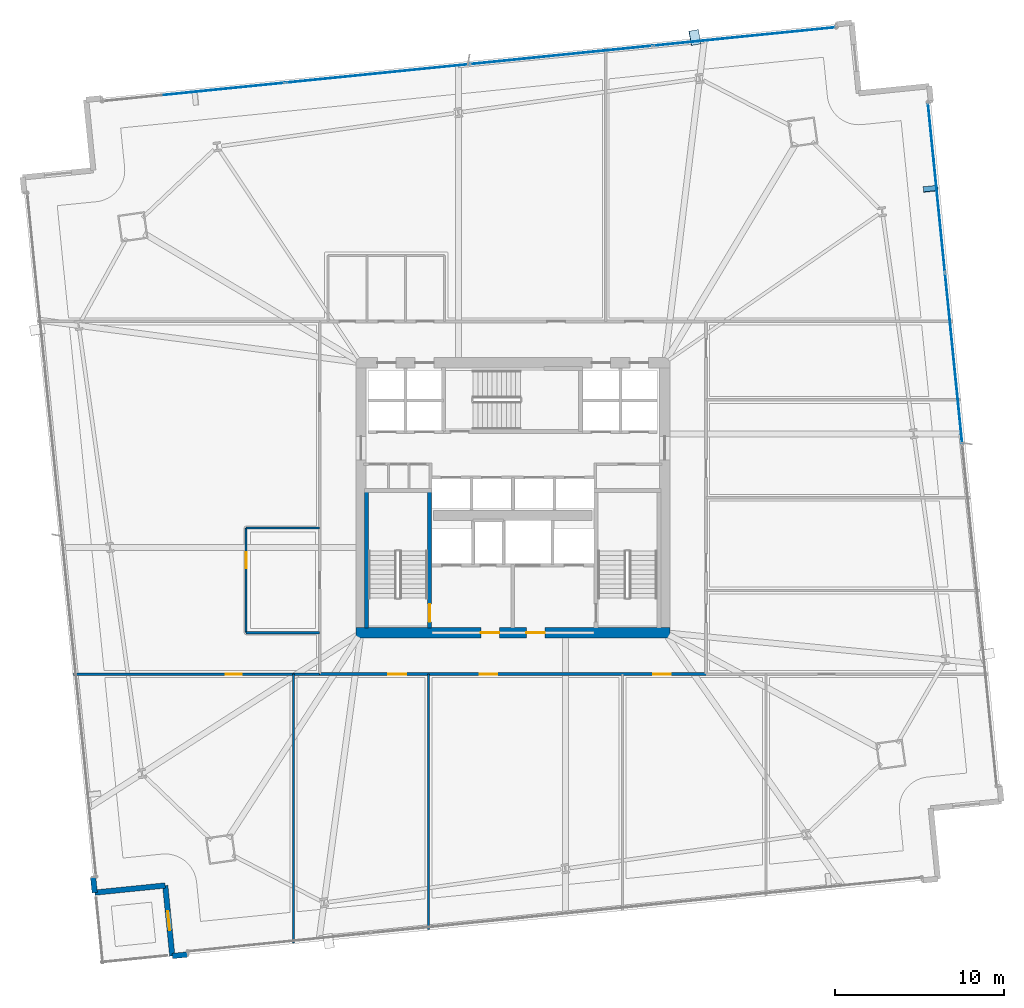
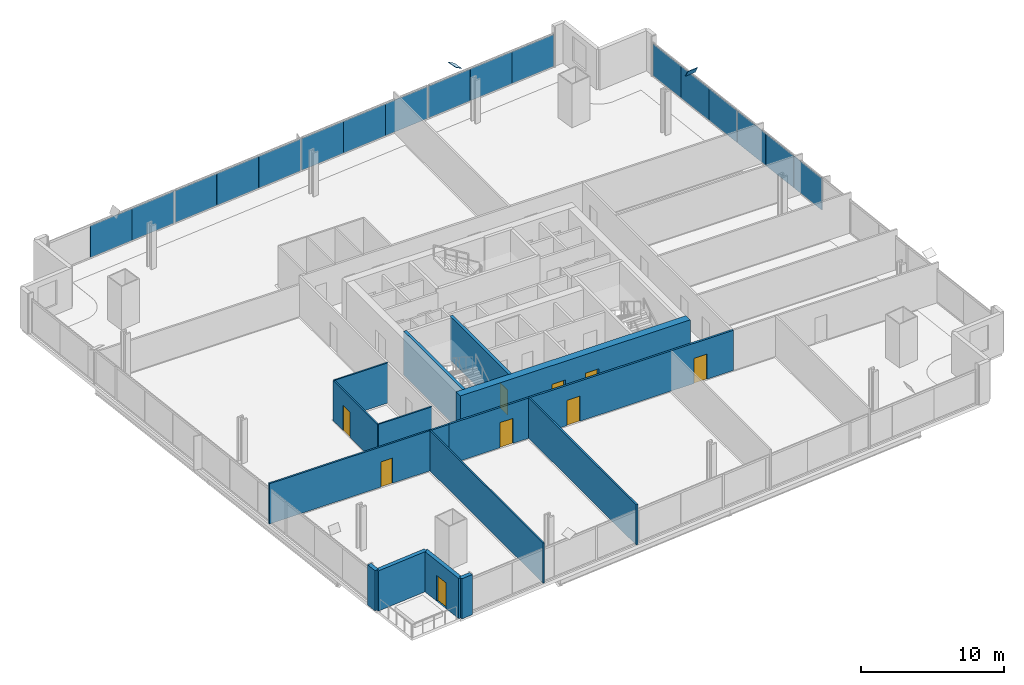
# One storey, part 25 of 33: 19 plates, 14 walls, 9 doors, 9 openings, 2 elements without a shape of their own.
"""IFC4 building model written with IfcOpenShell, lengths in metres."""

import ifcopenshell
import ifcopenshell.guid

model = None  # the IFC model being written
_history = None  # IfcOwnerHistory: only IFC2X3 demands one
_inside = {}  # id of a spatial element -> (the spatial element, [elements in it])
_under = {}  # id of a project, library or spatial element -> (it, [spatial elements below it])
_declared = {}  # id of a project -> (the project, [libraries it declares])
_typed = {}  # id of a type object -> (the type object, [elements of that type])
_made_of = {}  # id of a material, layer set ... -> (it, [elements and type objects made of it])


def new_model(schema):
    """Start an empty IFC model of exactly this schema.

    Asked for "IFC4X3", IfcOpenShell would pick the latest addendum, in which some entities
    have other attributes; the version numbers below select the first issue.
    IFC2X3 requires an IfcOwnerHistory on every rooted entity: one is made here for all.
    """
    global model, _history
    if schema == "IFC4X3":
        model = ifcopenshell.file(schema_version=(4, 3, 0, 0))
    else:
        model = ifcopenshell.file(schema=schema)
    _inside.clear()
    _under.clear()
    _declared.clear()
    _typed.clear()
    _made_of.clear()
    _history = None
    if model.schema == "IFC2X3":
        org = make("IfcOrganization", Name="unknown")
        user = make(
            "IfcPersonAndOrganization",
            ThePerson=make("IfcPerson", FamilyName="unknown"),
            TheOrganization=org,
        )
        app = make(
            "IfcApplication",
            ApplicationDeveloper=org,
            Version="unknown",
            ApplicationFullName="unknown",
            ApplicationIdentifier="unknown",
        )
        _history = make(
            "IfcOwnerHistory",
            OwningUser=user,
            OwningApplication=app,
            ChangeAction="ADDED",
            CreationDate=0,
        )
    return model


def make(cls, **values):
    """One entity of the class cls with the attributes given. An attribute that is None is left unset."""
    return model.create_entity(
        cls, **{name: value for name, value in values.items() if value is not None}
    )


def rooted(cls, **values):
    """An entity with a GlobalId (a new one), such as an element, a storey or a relation."""
    return make(cls, GlobalId=ifcopenshell.guid.new(), OwnerHistory=_history, **values)


def si_unit(unit_type, name, prefix=None):
    """IfcSIUnit, for example si_unit("LENGTHUNIT", "METRE", prefix="MILLI")."""
    return make("IfcSIUnit", UnitType=unit_type, Prefix=prefix, Name=name)


def assignment(units):
    """IfcUnitAssignment: the units of a project."""
    return None if units is None else make("IfcUnitAssignment", Units=units)


def point(xyz):
    """IfcCartesianPoint."""
    return None if xyz is None else make("IfcCartesianPoint", Coordinates=xyz)


def direction(xyz):
    """IfcDirection."""
    return None if xyz is None else make("IfcDirection", DirectionRatios=xyz)


def frame(location, z_axis=None, x_axis=None):
    """IfcAxis2Placement3D, a coordinate frame: its origin and axes. An axis left out is left unset."""
    return make(
        "IfcAxis2Placement3D",
        Location=point(location),
        Axis=direction(z_axis),
        RefDirection=direction(x_axis),
    )


def frame_2d(location, x_axis=None):
    """IfcAxis2Placement2D, a coordinate frame in the plane: its origin and x axis."""
    return make(
        "IfcAxis2Placement2D", Location=point(location), RefDirection=direction(x_axis)
    )


def origin():
    """The frame at (0, 0, 0) with its axes left unset."""
    return frame((0.0, 0.0, 0.0))


def origin_2d():
    """The frame at (0, 0) in the plane with its x axis left unset."""
    return frame_2d((0.0, 0.0))


def place(relative_to, where):
    """IfcLocalPlacement: puts the frame where relative to a parent placement (None: the world)."""
    return make(
        "IfcLocalPlacement", PlacementRelTo=relative_to, RelativePlacement=where
    )


def context(
    kind, dimensions, precision=None, world=None, true_north=None, identifier=None
):
    """IfcGeometricRepresentationContext, for example the 3D "Model" context."""
    return make(
        "IfcGeometricRepresentationContext",
        ContextIdentifier=identifier,
        ContextType=kind,
        CoordinateSpaceDimension=dimensions,
        Precision=precision,
        WorldCoordinateSystem=world,
        TrueNorth=true_north,
    )


def subcontext(parent, identifier, kind, view, scale=None):
    """IfcGeometricRepresentationSubContext, for example "Body" below "Model"."""
    return make(
        "IfcGeometricRepresentationSubContext",
        ContextIdentifier=identifier,
        ContextType=kind,
        ParentContext=parent,
        TargetScale=scale,
        TargetView=view,
    )


def project(units=None, contexts=None):
    """IfcProject with its units and contexts."""
    return rooted(
        "IfcProject",
        Name="project",
        RepresentationContexts=contexts,
        UnitsInContext=assignment(units),
    )


def spatial(cls, under=None, at=None, **own):
    """A site, building, storey or space (cls), placed at a placement, below another one or the project."""
    s = rooted(cls, ObjectPlacement=at, **own)
    if under is not None:
        _under.setdefault(under.id(), (under, []))[1].append(s)
    return s


def profile(cls, at=None, kind="AREA", **sizes):
    """A parametric profile (cls). Its sizes go by their IFC names, for example OverallWidth=200.0."""
    return make(cls, ProfileType=kind, Position=at, **sizes)


def rectangle(**sizes):
    """IfcRectangleProfileDef."""
    return profile("IfcRectangleProfileDef", **sizes)


def extrude(swept, where, along, depth):
    """IfcExtrudedAreaSolid: the profile swept, set in the frame where, extruded along a direction by depth."""
    return make(
        "IfcExtrudedAreaSolid",
        SweptArea=swept,
        Position=where,
        ExtrudedDirection=direction(along),
        Depth=depth,
    )


def shape(context_of_items, identifier, shape_type, items):
    """IfcShapeRepresentation: the items that make up one representation, for example the "Body"."""
    return make(
        "IfcShapeRepresentation",
        ContextOfItems=context_of_items,
        RepresentationIdentifier=identifier,
        RepresentationType=shape_type,
        Items=items,
    )


def source(mapping_origin, context_of_items, identifier, shape_type, items):
    """IfcRepresentationMap: a shape defined once, which mapped items show again and again."""
    return make(
        "IfcRepresentationMap",
        MappingOrigin=mapping_origin,
        MappedRepresentation=shape(context_of_items, identifier, shape_type, items),
    )


def transform(
    local_origin,
    x_axis=None,
    y_axis=None,
    z_axis=None,
    scale=None,
    scale2=None,
    scale3=None,
    uniform=True,
):
    """IfcCartesianTransformationOperator3D, or its non-uniform kind. x_axis, y_axis, z_axis: its Axis1, 2, 3."""
    if uniform:
        return make(
            "IfcCartesianTransformationOperator3D",
            Axis1=direction(x_axis),
            Axis2=direction(y_axis),
            LocalOrigin=point(local_origin),
            Scale=scale,
            Axis3=direction(z_axis),
        )
    return make(
        "IfcCartesianTransformationOperator3DnonUniform",
        Axis1=direction(x_axis),
        Axis2=direction(y_axis),
        LocalOrigin=point(local_origin),
        Scale=scale,
        Axis3=direction(z_axis),
        Scale2=scale2,
        Scale3=scale3,
    )


def mapped(mapping_source, mapping_target):
    """IfcMappedItem: shows the shape of a source again, moved by a transform."""
    return make(
        "IfcMappedItem", MappingSource=mapping_source, MappingTarget=mapping_target
    )


def material(Name=None, Category=None):
    """IfcMaterial."""
    return make("IfcMaterial", Name=Name, Category=Category)


def layer(
    of_material, thickness, ventilated=None, Name=None, Category=None, Priority=None
):
    """IfcMaterialLayer: one layer of a wall or slab, of a material (None: an air gap)."""
    return make(
        "IfcMaterialLayer",
        Material=of_material,
        LayerThickness=thickness,
        IsVentilated=ventilated,
        Name=Name,
        Category=Category,
        Priority=Priority,
    )


def layer_set(layers, Name=None):
    """IfcMaterialLayerSet."""
    return make("IfcMaterialLayerSet", MaterialLayers=layers, LayerSetName=Name)


def made_of(thing, what):
    """Note that an element or type object is made of a material, layer set ...; save() writes the relation."""
    if what is not None:
        _made_of.setdefault(what.id(), (what, []))[1].append(thing)
    return thing


def type_object(cls, material=None, **own):
    """A type object (cls), such as IfcWallType, which elements share."""
    return made_of(rooted(cls, **own), material)


def element(
    cls,
    number,
    at=None,
    inside=None,
    cuts=None,
    type_object=None,
    material=None,
    context=None,
    identifier="Body",
    shape_type=None,
    held_by="IfcProductDefinitionShape",
    body=None,
    shapes=None,
    **own,
):
    """One element of the class cls, such as IfcWall. Its Tag is "e" and its number.

    at: its placement. inside: the storey or other place that contains it. cuts: it is an
    opening in that element (IfcRelVoidsElement). A single representation is given by context,
    identifier, shape_type and body (its items); several are given by shapes. held_by: the class
    of the entity that holds the representations. save() writes the other relations.
    """
    e = rooted(cls, Tag="e%d" % number, ObjectPlacement=at, **own)
    if body is not None:
        shapes = [shape(context, identifier, shape_type, body)]
    if shapes is not None:
        e.Representation = make(held_by, Representations=shapes)
    if inside is not None:
        _inside.setdefault(inside.id(), (inside, []))[1].append(e)
    if cuts is not None:
        rooted(
            "IfcRelVoidsElement", RelatingBuildingElement=cuts, RelatedOpeningElement=e
        )
    if type_object is not None:
        _typed.setdefault(type_object.id(), (type_object, []))[1].append(e)
    return made_of(e, material)


def fill(opening, filler):
    """IfcRelFillsElement: the door or window that sits in an opening."""
    return rooted(
        "IfcRelFillsElement",
        RelatingOpeningElement=opening,
        RelatedBuildingElement=filler,
    )


def aggregate(whole, parts):
    """IfcRelAggregates: a whole, such as a stair, and the parts it consists of."""
    return rooted("IfcRelAggregates", RelatingObject=whole, RelatedObjects=parts)


def save(model, path):
    """Write the relations noted so far, then the file.

    IfcRelAggregates (storeys below a building ...), IfcRelContainedInSpatialStructure (elements
    in a storey), IfcRelDefinesByType, IfcRelAssociatesMaterial and IfcRelDeclares: one each for
    every whole, place, type object, material and project.
    """
    for whole, parts in _under.values():
        aggregate(whole, parts)
    for where, things in _inside.values():
        rooted(
            "IfcRelContainedInSpatialStructure",
            RelatedElements=things,
            RelatingStructure=where,
        )
    for kind, things in _typed.values():
        rooted("IfcRelDefinesByType", RelatedObjects=things, RelatingType=kind)
    for what, things in _made_of.values():
        rooted("IfcRelAssociatesMaterial", RelatedObjects=things, RelatingMaterial=what)
    for by, libraries in _declared.values():
        rooted("IfcRelDeclares", RelatingContext=by, RelatedDefinitions=libraries)
    model.write(path)


model = new_model("IFC4")

# Units and contexts
model_context = context("Model", 3, precision=1e-05, world=origin(), true_north=direction((0.0, 1.0)))
body_context = subcontext(model_context, "Body", "Model", "MODEL_VIEW")
ifc_project = project(units=[si_unit("LENGTHUNIT", "METRE"), si_unit("AREAUNIT", "SQUARE_METRE"), si_unit("VOLUMEUNIT", "CUBIC_METRE"), si_unit("PLANEANGLEUNIT", "RADIAN"), si_unit("MASSUNIT", "GRAM", prefix="KILO")], contexts=[model_context])

# Site, building, storey
site_placement = place(None, origin())
site = spatial("IfcSite", under=ifc_project, at=site_placement, CompositionType="ELEMENT")
building_placement = place(site_placement, origin())
building = spatial("IfcBuilding", under=site, at=building_placement, Name="Haldenkirk Collegiate Tower", CompositionType="ELEMENT")
storey_placement = place(building_placement, frame((0.0, 0.0, 47.699951171875)))
storey = spatial("IfcBuildingStorey", under=building, at=storey_placement, Name="L10", CompositionType="ELEMENT", Elevation=47.699951171875)

# Plates
ifc_material_1 = material(Name="Steel ASTM A572 Grade 50", Category="steel")
ifc_layer_1 = layer(ifc_material_1, 0.034912109375)
ifc_layer_set_1 = layer_set([ifc_layer_1], Name="Steel ASTM A572 Grade 50")
plate_type_1 = type_object("IfcPlateType", Name="PLT-CAP-EXT-760X600", PredefinedType="USERDEFINED", material=ifc_layer_set_1)
shared_shape_1 = source(origin(), body_context, "Body", "SweptSolid", [
    extrude(rectangle(XDim=0.860107421875, YDim=0.659912109375, at=origin_2d()), origin(), (0.0, 0.0, 1.0), 0.034912109375),
])
for number, where, z_axis, x_axis, name in (
    (1, (60.761962890625, 44.2919921875, 3.4287109375), (-0.092943985843, 0.880315865916, 0.465193929144), (-0.99447258862, -0.10499652605, -2.9762e-07), "Perimeter Mega Brace Z1 L08-L10 ER end cap plate 2"),
    (2, (46.775146484375, 53.271728515625, 3.427490234375), (0.512676729759, 0.091290951879, 0.853714549992), (-0.17530922518, 0.984513420714, -2.42532e-07), "Perimeter Mega Brace Z1 L08-L10 NL end cap plate 2"),
):
    element("IfcPlate", number, at=place(storey_placement, frame(where, z_axis=z_axis, x_axis=x_axis)), inside=storey, type_object=plate_type_1, Name=name, ObjectType="END CAP PLATE", PredefinedType="USERDEFINED", context=body_context, shape_type="MappedRepresentation", body=[
        mapped(shared_shape_1, transform((0.0, 0.0, 0.0), x_axis=(1.0, 0.0, 0.0), y_axis=(0.0, 1.0, 0.0), z_axis=(0.0, 0.0, 1.0), scale=1.0)),
    ])

# Curtain wall, plates
ifc_material_2 = material(Name="Anodised architectural bronze aluminium", Category="aluminium")
curtain_wall_type = type_object("IfcCurtainWallType", Name="CW-SYS1-CONVEX-LOW", PredefinedType="USERDEFINED", material=ifc_material_2)
curtain_wall_1_placement = place(storey_placement, origin())
curtain_wall_1 = element("IfcCurtainWall", 3, at=curtain_wall_1_placement, inside=storey, type_object=curtain_wall_type, Name="L10 Lower tower convex bronze-framed unitised curtain wall", ObjectType="UNITISED CURTAIN WALL", PredefinedType="USERDEFINED")
ifc_material_3 = material(Name="Bronze-anodised insulated aluminium spandrel panel", Category="aluminium")
ifc_layer_2 = layer(ifc_material_3, 0.0439453125)
ifc_layer_set_2 = layer_set([ifc_layer_2], Name="Bronze-anodised insulated aluminium spandrel panel")
plate_type_2 = type_object("IfcPlateType", Name="CW-SPD-1A", PredefinedType="CURTAIN_PANEL", material=ifc_layer_set_2)
shared_shape_2 = source(origin(), body_context, "Body", "SweptSolid", [
    extrude(rectangle(XDim=3.36083984375, YDim=0.0439453125, at=origin_2d()), origin(), (0.0, 0.0, 1.0), 2.73095703125),
])
plate_1_placement = place(storey_placement, frame((61.785400390625, 37.62158203125, 0.080078125), z_axis=(0.0, 0.0, 1.0), x_axis=(0.10018633043, -0.99496869257, 0.0)))
plate_1 = element("IfcPlate", 4, at=plate_1_placement, type_object=plate_type_2, Name="CW-1A spandrel panel 2.1a", PredefinedType="CURTAIN_PANEL", context=body_context, shape_type="MappedRepresentation", body=[
    mapped(shared_shape_2, transform((0.0, 0.0, 0.0), x_axis=(1.0, 0.0, 0.0), y_axis=(0.0, 1.0, 0.0), z_axis=(0.0, 0.0, 1.0), scale=1.0)),
])
ifc_material_4 = material(Name="Low-E argon triple insulating glass", Category="glass")
ifc_layer_3 = layer(ifc_material_4, 0.0439453125)
ifc_layer_set_3 = layer_set([ifc_layer_3], Name="Low-E argon triple insulating glass")
plate_type_3 = type_object("IfcPlateType", Name="CW-PNL-1A", PredefinedType="CURTAIN_PANEL", material=ifc_layer_set_3)
plate_2_placement = place(storey_placement, frame((62.462646484375, 30.896240234375, 0.080078125), z_axis=(0.0, 0.0, 1.0), x_axis=(0.10018633043, -0.99496869257, 0.0)))
plate_2 = element("IfcPlate", 5, at=plate_2_placement, type_object=plate_type_3, Name="CW-1A panel 2.1c", PredefinedType="CURTAIN_PANEL", context=body_context, shape_type="MappedRepresentation", body=[
    mapped(shared_shape_2, transform((0.0, 0.0, 0.0), x_axis=(1.0, 0.0, 0.0), y_axis=(0.0, 1.0, 0.0), z_axis=(0.0, 0.0, 1.0), scale=1.0)),
])
shared_shape_3 = source(origin(), body_context, "Body", "SweptSolid", [
    extrude(rectangle(XDim=3.348388671875, YDim=0.0439453125, at=origin_2d()), origin(), (0.0, 0.0, 1.0), 2.73095703125),
])
plate_3_placement = place(storey_placement, frame((62.1240234375, 34.2587890625, 0.080078125), z_axis=(0.0, 0.0, 1.0), x_axis=(0.10018633043, -0.99496869257, 0.0)))
plate_3 = element("IfcPlate", 6, at=plate_3_placement, type_object=plate_type_3, Name="CW-1A panel 2.1b", PredefinedType="CURTAIN_PANEL", context=body_context, shape_type="MappedRepresentation", body=[
    mapped(shared_shape_3, transform((0.0, 0.0, 0.0), x_axis=(1.0, 0.0, 0.0), y_axis=(0.0, 1.0, 0.0), z_axis=(0.0, 0.0, 1.0), scale=1.0)),
])

curtain_wall_2_placement = place(storey_placement, origin())
curtain_wall_2 = element("IfcCurtainWall", 7, at=curtain_wall_2_placement, inside=storey, type_object=curtain_wall_type, Name="L10 Lower tower convex bronze-framed unitised curtain wall", ObjectType="UNITISED CURTAIN WALL", PredefinedType="USERDEFINED")
shared_shape_4 = source(origin(), body_context, "Body", "SweptSolid", [
    extrude(rectangle(XDim=3.61083984375, YDim=0.0439453125, at=origin_2d()), origin(), (0.0, 0.0, 1.0), 2.73095703125),
])
plate_4_placement = place(storey_placement, frame((24.354248046875, 50.77783203125, 0.080078125), z_axis=(0.0, 0.0, 1.0), x_axis=(0.994968597847, 0.100187271136, 0.0)))
plate_4 = element("IfcPlate", 8, at=plate_4_placement, type_object=plate_type_2, Name="CW-1A spandrel panel 2.1a", PredefinedType="CURTAIN_PANEL", context=body_context, shape_type="MappedRepresentation", body=[
    mapped(shared_shape_4, transform((0.0, 0.0, 0.0), x_axis=(1.0, 0.0, 0.0), y_axis=(0.0, 1.0, 0.0), z_axis=(0.0, 0.0, 1.0), scale=1.0)),
])
plate_5_placement = place(storey_placement, frame((31.576904296875, 51.505126953125, 0.080078125), z_axis=(0.0, 0.0, 1.0), x_axis=(0.994968597847, 0.100187271136, 0.0)))
plate_5 = element("IfcPlate", 9, at=plate_5_placement, type_object=plate_type_3, Name="CW-1A panel 2.1c", PredefinedType="CURTAIN_PANEL", context=body_context, shape_type="MappedRepresentation", body=[
    mapped(shared_shape_4, transform((0.0, 0.0, 0.0), x_axis=(1.0, 0.0, 0.0), y_axis=(0.0, 1.0, 0.0), z_axis=(0.0, 0.0, 1.0), scale=1.0)),
])
plate_6_placement = place(storey_placement, frame((35.249267578125, 51.875, 0.080078125), z_axis=(0.0, 0.0, 1.0), x_axis=(0.994968597847, 0.100187271136, 0.0)))
plate_6 = element("IfcPlate", 10, at=plate_6_placement, type_object=plate_type_3, Name="CW-1A panel 3.1a", PredefinedType="CURTAIN_PANEL", context=body_context, shape_type="MappedRepresentation", body=[
    mapped(shared_shape_4, transform((0.0, 0.0, 0.0), x_axis=(1.0, 0.0, 0.0), y_axis=(0.0, 1.0, 0.0), z_axis=(0.0, 0.0, 1.0), scale=1.0)),
])
plate_7_placement = place(storey_placement, frame((42.471923828125, 52.602294921875, 0.080078125), z_axis=(0.0, 0.0, 1.0), x_axis=(0.994968597847, 0.100187271136, 0.0)))
plate_7 = element("IfcPlate", 11, at=plate_7_placement, type_object=plate_type_2, Name="CW-1A spandrel panel 3.1c", PredefinedType="CURTAIN_PANEL", context=body_context, shape_type="MappedRepresentation", body=[
    mapped(shared_shape_4, transform((0.0, 0.0, 0.0), x_axis=(1.0, 0.0, 0.0), y_axis=(0.0, 1.0, 0.0), z_axis=(0.0, 0.0, 1.0), scale=1.0)),
])
shared_shape_5 = source(origin(), body_context, "Body", "SweptSolid", [
    extrude(rectangle(XDim=3.598388671875, YDim=0.0439453125, at=origin_2d()), origin(), (0.0, 0.0, 1.0), 2.73095703125),
])
plate_8_placement = place(storey_placement, frame((27.965576171875, 51.1416015625, 0.080078125), z_axis=(0.0, 0.0, 1.0), x_axis=(0.994968597847, 0.100187271136, 0.0)))
plate_8 = element("IfcPlate", 12, at=plate_8_placement, type_object=plate_type_3, Name="CW-1A panel 2.1b", PredefinedType="CURTAIN_PANEL", context=body_context, shape_type="MappedRepresentation", body=[
    mapped(shared_shape_5, transform((0.0, 0.0, 0.0), x_axis=(1.0, 0.0, 0.0), y_axis=(0.0, 1.0, 0.0), z_axis=(0.0, 0.0, 1.0), scale=1.0)),
])
plate_9_placement = place(storey_placement, frame((38.860595703125, 52.238525390625, 0.080078125), z_axis=(0.0, 0.0, 1.0), x_axis=(0.994968597847, 0.100187271136, 0.0)))
plate_9 = element("IfcPlate", 13, at=plate_9_placement, type_object=plate_type_3, Name="CW-1A panel 3.1b", PredefinedType="CURTAIN_PANEL", context=body_context, shape_type="MappedRepresentation", body=[
    mapped(shared_shape_5, transform((0.0, 0.0, 0.0), x_axis=(1.0, 0.0, 0.0), y_axis=(0.0, 1.0, 0.0), z_axis=(0.0, 0.0, 1.0), scale=1.0)),
])

# Plate
shared_shape_6 = source(origin(), body_context, "Body", "SweptSolid", [
    extrude(rectangle(XDim=3.347412109375, YDim=0.0439453125, at=origin_2d()), origin(), (0.0, 0.0, 1.0), 2.73095703125),
])
plate_10_placement = place(storey_placement, frame((60.766845703125, 47.737060546875, 0.080078125), z_axis=(0.0, 0.0, 1.0), x_axis=(0.10018633043, -0.99496869257, 0.0)))
plate_10 = element("IfcPlate", 14, at=plate_10_placement, type_object=plate_type_3, Name="CW-1A panel 1.1a", PredefinedType="CURTAIN_PANEL", context=body_context, shape_type="MappedRepresentation", body=[
    mapped(shared_shape_6, transform((0.0, 0.0, 0.0), x_axis=(1.0, 0.0, 0.0), y_axis=(0.0, 1.0, 0.0), z_axis=(0.0, 0.0, 1.0), scale=1.0)),
])

plate_11_placement = place(storey_placement, frame((61.44140625, 41.038330078125, 0.080078125), z_axis=(0.0, 0.0, 1.0), x_axis=(0.10018633043, -0.99496869257, 0.0)))
plate_11 = element("IfcPlate", 15, at=plate_11_placement, type_object=plate_type_2, Name="CW-1A spandrel panel 1.1c", PredefinedType="CURTAIN_PANEL", context=body_context, shape_type="MappedRepresentation", body=[
    mapped(shared_shape_6, transform((0.0, 0.0, 0.0), x_axis=(1.0, 0.0, 0.0), y_axis=(0.0, 1.0, 0.0), z_axis=(0.0, 0.0, 1.0), scale=1.0)),
])

shared_shape_7 = source(origin(), body_context, "Body", "SweptSolid", [
    extrude(rectangle(XDim=3.3349609375, YDim=0.0439453125, at=origin_2d()), origin(), (0.0, 0.0, 1.0), 2.73095703125),
])
plate_12_placement = place(storey_placement, frame((61.104248046875, 44.3876953125, 0.080078125), z_axis=(0.0, 0.0, 1.0), x_axis=(0.10018633043, -0.99496869257, 0.0)))
plate_12 = element("IfcPlate", 16, at=plate_12_placement, type_object=plate_type_2, Name="CW-1A spandrel panel 1.1b", PredefinedType="CURTAIN_PANEL", context=body_context, shape_type="MappedRepresentation", body=[
    mapped(shared_shape_7, transform((0.0, 0.0, 0.0), x_axis=(1.0, 0.0, 0.0), y_axis=(0.0, 1.0, 0.0), z_axis=(0.0, 0.0, 1.0), scale=1.0)),
])

aggregate(curtain_wall_1, [plate_10, plate_12, plate_11, plate_1, plate_3, plate_2])

shared_shape_8 = source(origin(), body_context, "Body", "SweptSolid", [
    extrude(rectangle(XDim=3.597412109375, YDim=0.0439453125, at=origin_2d()), origin(), (0.0, 0.0, 1.0), 2.73095703125),
])
plate_13_placement = place(storey_placement, frame((20.688720703125, 50.40869140625, 0.080078125), z_axis=(0.0, 0.0, 1.0), x_axis=(0.994968597847, 0.100187271136, 0.0)))
plate_13 = element("IfcPlate", 17, at=plate_13_placement, type_object=plate_type_2, Name="CW-1A spandrel panel 1.1c", PredefinedType="CURTAIN_PANEL", context=body_context, shape_type="MappedRepresentation", body=[
    mapped(shared_shape_8, transform((0.0, 0.0, 0.0), x_axis=(1.0, 0.0, 0.0), y_axis=(0.0, 1.0, 0.0), z_axis=(0.0, 0.0, 1.0), scale=1.0)),
])

plate_14_placement = place(storey_placement, frame((46.137451171875, 52.971435546875, 0.080078125), z_axis=(0.0, 0.0, 1.0), x_axis=(0.994968597847, 0.100187271136, 0.0)))
plate_14 = element("IfcPlate", 18, at=plate_14_placement, type_object=plate_type_2, Name="CW-1A spandrel panel 4.1a", PredefinedType="CURTAIN_PANEL", context=body_context, shape_type="MappedRepresentation", body=[
    mapped(shared_shape_8, transform((0.0, 0.0, 0.0), x_axis=(1.0, 0.0, 0.0), y_axis=(0.0, 1.0, 0.0), z_axis=(0.0, 0.0, 1.0), scale=1.0)),
])

plate_15_placement = place(storey_placement, frame((53.33349609375, 53.696044921875, 0.080078125), z_axis=(0.0, 0.0, 1.0), x_axis=(0.994968597847, 0.100187271136, 0.0)))
plate_15 = element("IfcPlate", 19, at=plate_15_placement, type_object=plate_type_3, Name="CW-1A panel 4.1c", PredefinedType="CURTAIN_PANEL", context=body_context, shape_type="MappedRepresentation", body=[
    mapped(shared_shape_8, transform((0.0, 0.0, 0.0), x_axis=(1.0, 0.0, 0.0), y_axis=(0.0, 1.0, 0.0), z_axis=(0.0, 0.0, 1.0), scale=1.0)),
])

shared_shape_9 = source(origin(), body_context, "Body", "SweptSolid", [
    extrude(rectangle(XDim=3.5849609375, YDim=0.0439453125, at=origin_2d()), origin(), (0.0, 0.0, 1.0), 2.73095703125),
])
plate_16_placement = place(storey_placement, frame((17.090576171875, 50.04638671875, 0.080078125), z_axis=(0.0, 0.0, 1.0), x_axis=(0.994968597847, 0.100187271136, 0.0)))
plate_16 = element("IfcPlate", 20, at=plate_16_placement, type_object=plate_type_2, Name="CW-1A spandrel panel 1.1b", PredefinedType="CURTAIN_PANEL", context=body_context, shape_type="MappedRepresentation", body=[
    mapped(shared_shape_9, transform((0.0, 0.0, 0.0), x_axis=(1.0, 0.0, 0.0), y_axis=(0.0, 1.0, 0.0), z_axis=(0.0, 0.0, 1.0), scale=1.0)),
])

plate_17_placement = place(storey_placement, frame((49.735595703125, 53.333740234375, 0.080078125), z_axis=(0.0, 0.0, 1.0), x_axis=(0.994968597847, 0.100187271136, 0.0)))
plate_17 = element("IfcPlate", 21, at=plate_17_placement, type_object=plate_type_3, Name="CW-1A panel 4.1b", PredefinedType="CURTAIN_PANEL", context=body_context, shape_type="MappedRepresentation", body=[
    mapped(shared_shape_9, transform((0.0, 0.0, 0.0), x_axis=(1.0, 0.0, 0.0), y_axis=(0.0, 1.0, 0.0), z_axis=(0.0, 0.0, 1.0), scale=1.0)),
])

aggregate(curtain_wall_2, [plate_16, plate_13, plate_4, plate_8, plate_5, plate_6, plate_9, plate_7, plate_14, plate_17, plate_15])

# Wall, openings, doors
ifc_material_5 = material(Name="Concrete f'c 70 MPa", Category="concrete")
ifc_layer_4 = layer(ifc_material_5, 0.60009765625)
ifc_layer_set_4 = layer_set([ifc_layer_4], Name="Concrete f'c 70 MPa")
wall_type_1 = type_object("IfcWallType", Name="WL-CORE-600", PredefinedType="SHEAR", material=ifc_layer_set_4)
wall_1_placement = place(storey_placement, frame((26.699951171875, 18.0, 0.0), z_axis=(0.0, 0.0, 1.0), x_axis=(1.0, 0.0, 0.0)))
wall_1 = element("IfcWall", 22, at=wall_1_placement, inside=storey, type_object=wall_type_1, Name="L10 central core shear wall S", PredefinedType="SHEAR", context=body_context, shape_type="SweptSolid", body=[
    extrude(rectangle(XDim=18.60009765625, YDim=0.60009765625, at=frame_2d((9.300048828125, 0.0))), origin(), (0.0, 0.0, 1.0), 3.75),
])
opening_1_placement = place(wall_1_placement, frame((7.39990234375, 0.0, 0.0)))
opening_1 = element("IfcOpeningElement", 23, at=opening_1_placement, cuts=wall_1, Name="Opening D-02", PredefinedType="OPENING", context=body_context, shape_type="SweptSolid", body=[
    extrude(rectangle(XDim=1.10009765625, YDim=2.14990234375, at=frame_2d((0.550048828125, 1.074951171875))), frame((0.0, 0.31005859375, 0.0), z_axis=(0.0, -1.0, 0.0), x_axis=(1.0, 0.0, 0.0)), (0.0, 0.0, 1.0), 0.6201171875),
])
opening_2_placement = place(wall_1_placement, frame((10.10009765625, 0.0, 0.0)))
opening_2 = element("IfcOpeningElement", 24, at=opening_2_placement, cuts=wall_1, Name="Opening D-02", PredefinedType="OPENING", context=body_context, shape_type="SweptSolid", body=[
    extrude(rectangle(XDim=1.10009765625, YDim=2.14990234375, at=frame_2d((0.550048828125, 1.074951171875))), frame((0.0, 0.31005859375, 0.0), z_axis=(0.0, -1.0, 0.0), x_axis=(1.0, 0.0, 0.0)), (0.0, 0.0, 1.0), 0.6201171875),
])
ifc_material_6 = material(Name="Galvanized fire-rated hollow steel door", Category="steel")
ifc_layer_5 = layer(ifc_material_6, 0.06005859375)
ifc_layer_set_5 = layer_set([ifc_layer_5], Name="Galvanized fire-rated hollow steel door")
door_type_1 = type_object("IfcDoorType", Name="DR-STAIR-FD90-1100", OperationType="NOTDEFINED", PredefinedType="DOOR", material=ifc_layer_set_5)
door_1_placement = place(opening_1_placement, origin())
door_1 = element("IfcDoor", 25, at=door_1_placement, inside=storey, type_object=door_type_1, Name="L10 Firefighting Lobby 1 door", OperationType="SINGLE_SWING_RIGHT", OverallHeight=2.14990234375, OverallWidth=1.10009765625, PredefinedType="DOOR", context=body_context, shape_type="SweptSolid", body=[
    extrude(rectangle(XDim=1.10009765625, YDim=2.14990234375, at=frame_2d((0.550048828125, 1.074951171875))), frame((0.0, 0.02490234375, 0.0), z_axis=(0.0, -1.0, 0.0), x_axis=(1.0, 0.0, 0.0)), (0.0, 0.0, 1.0), 0.050048828125),
])
fill(opening_1, door_1)
door_2_placement = place(opening_2_placement, origin())
door_2 = element("IfcDoor", 26, at=door_2_placement, inside=storey, type_object=door_type_1, Name="L10 Firefighting Lobby 2 door", OperationType="SINGLE_SWING_LEFT", OverallHeight=2.14990234375, OverallWidth=1.10009765625, PredefinedType="DOOR", context=body_context, shape_type="SweptSolid", body=[
    extrude(rectangle(XDim=1.10009765625, YDim=2.14990234375, at=frame_2d((0.550048828125, 1.074951171875))), frame((0.0, 0.02490234375, 0.0), z_axis=(0.0, -1.0, 0.0), x_axis=(1.0, 0.0, 0.0)), (0.0, 0.0, 1.0), 0.050048828125),
])
fill(opening_2, door_2)

# Walls
ifc_material_7 = material(Name="Precast concrete f'c 40 MPa", Category="concrete")
ifc_layer_6 = layer(ifc_material_7, 0.320068359375)
ifc_layer_set_6 = layer_set([ifc_layer_6], Name="Precast concrete f'c 40 MPa")
wall_type_2 = type_object("IfcWallType", Name="WL-EXT-TWR-320", PredefinedType="STANDARD", material=ifc_layer_set_6)
for number, where, z_axis, x_axis, name in (
    (27, (16.71484375, -1.068359375, 0.0), (0.0, 0.0, 1.0), (-0.994977928667, -0.100094562617, 0.0), "L10 precast corner pier SR"),
    (28, (11.2197265625, 2.599609375, 0.0), (0.0, 0.0, 1.0), (-0.100094562617, 0.994977928667, 0.0), "L10 precast corner pier WL"),
):
    element("IfcWall", number, at=place(storey_placement, frame(where, z_axis=z_axis, x_axis=x_axis)), inside=storey, type_object=wall_type_2, Name=name, PredefinedType="STANDARD", context=body_context, shape_type="SweptSolid", body=[
        extrude(rectangle(XDim=0.900146484375, YDim=0.320068359375, at=frame_2d((0.4501953125, 0.0))), origin(), (0.0, 0.0, 1.0), 3.43994140625),
    ])
wall_2_placement = place(storey_placement, frame((15.398681640625, 3.0205078125, 0.0), z_axis=(0.0, 0.0, 1.0), x_axis=(-0.994966149633, -0.100211581584, 0.0)))
element("IfcWall", 29, at=wall_2_placement, inside=storey, type_object=wall_type_2, Name="L10 bronze precast notch wall 11", PredefinedType="STANDARD", context=body_context, shape_type="SweptSolid", body=[
    extrude(rectangle(XDim=4.2001953125, YDim=0.320068359375, at=frame_2d((2.10009765625, 0.0))), origin(), (0.0, 0.0, 1.0), 3.43994140625),
])

# Wall, opening, door
wall_3_placement = place(storey_placement, frame((15.8193359375, -1.158447265625, 0.0), z_axis=(0.0, 0.0, 1.0), x_axis=(-0.10015403745, 0.994971943716, 0.0)))
wall_3 = element("IfcWall", 30, at=wall_3_placement, inside=storey, type_object=wall_type_2, Name="L10 bronze precast notch wall 12", PredefinedType="STANDARD", context=body_context, shape_type="SweptSolid", body=[
    extrude(rectangle(XDim=4.2001953125, YDim=0.320068359375, at=frame_2d((2.10009765625, 0.0))), origin(), (0.0, 0.0, 1.0), 3.43994140625),
])
opening_3_placement = place(wall_3_placement, frame((1.52490234375, 0.0, 0.0)))
opening_3 = element("IfcOpeningElement", 31, at=opening_3_placement, cuts=wall_3, Name="Opening D-ST11", PredefinedType="OPENING", context=body_context, shape_type="SweptSolid", body=[
    extrude(rectangle(XDim=1.14990234375, YDim=2.199951171875, at=frame_2d((0.574951171875, 1.10009765625))), frame((0.0, 0.169921875, 0.0), z_axis=(0.0, -1.0, 0.0), x_axis=(1.0, 0.0, 0.0)), (0.0, 0.0, 1.0), 0.340087890625),
])
ifc_layer_7 = layer(ifc_material_2, 0.080078125)
ifc_layer_set_7 = layer_set([ifc_layer_7], Name="Anodised architectural bronze aluminium")
door_type_2 = type_object("IfcDoorType", Name="DR-EXT-STER-1150", OperationType="NOTDEFINED", PredefinedType="DOOR", material=ifc_layer_set_7)
door_3_placement = place(opening_3_placement, origin())
door_3 = element("IfcDoor", 32, at=door_3_placement, inside=storey, type_object=door_type_2, Name="L10 spiralling terrace door", OperationType="SINGLE_SWING_LEFT", OverallHeight=2.199951171875, OverallWidth=1.14990234375, PredefinedType="DOOR", context=body_context, shape_type="SweptSolid", body=[
    extrude(rectangle(XDim=1.14990234375, YDim=2.199951171875, at=frame_2d((0.574951171875, 1.10009765625))), frame((0.0, 0.02490234375, 0.0), z_axis=(0.0, -1.0, 0.0), x_axis=(1.0, 0.0, 0.0)), (0.0, 0.0, 1.0), 0.050048828125),
])
fill(opening_3, door_3)

# Wall, openings, doors
ifc_material_8 = material(Name="Acoustic fire-rated gypsum partition", Category="concrete")
ifc_layer_8 = layer(ifc_material_8, 0.159912109375)
ifc_layer_set_8 = layer_set([ifc_layer_8], Name="Acoustic fire-rated gypsum partition")
wall_type_3 = type_object("IfcWallType", Name="WL-INT-CORR-160", PredefinedType="PARTITIONING", material=ifc_layer_set_8)
wall_4_placement = place(storey_placement, frame((24.5, 15.550048828125, 0.0), z_axis=(0.0, 0.0, 1.0), x_axis=(1.0, 0.0, 0.0)))
wall_4 = element("IfcWall", 33, at=wall_4_placement, inside=storey, type_object=wall_type_3, Name="L10 interior partition IW-L10-CS", PredefinedType="PARTITIONING", context=body_context, shape_type="SweptSolid", body=[
    extrude(rectangle(XDim=23.0, YDim=0.159912109375, at=frame_2d((11.5, 0.0))), origin(), (0.0, 0.0, 1.0), 3.43994140625),
])
opening_4_placement = place(wall_4_placement, frame((4.12109375, 0.0, 0.0)))
opening_4 = element("IfcOpeningElement", 34, at=opening_4_placement, cuts=wall_4, Name="Opening D-09", PredefinedType="OPENING", context=body_context, shape_type="SweptSolid", body=[
    extrude(rectangle(XDim=1.050048828125, YDim=2.14990234375, at=frame_2d((0.52490234375, 1.074951171875))), frame((0.0, 0.08984375, 0.0), z_axis=(0.0, -1.0, 0.0), x_axis=(1.0, 0.0, 0.0)), (0.0, 0.0, 1.0), 0.179931640625),
])
opening_5_placement = place(wall_4_placement, frame((9.534912109375, 0.0, 0.0)))
opening_5 = element("IfcOpeningElement", 35, at=opening_5_placement, cuts=wall_4, Name="Opening D-09", PredefinedType="OPENING", context=body_context, shape_type="SweptSolid", body=[
    extrude(rectangle(XDim=1.050048828125, YDim=2.14990234375, at=frame_2d((0.52490234375, 1.074951171875))), frame((0.0, 0.08984375, 0.0), z_axis=(0.0, -1.0, 0.0), x_axis=(1.0, 0.0, 0.0)), (0.0, 0.0, 1.0), 0.179931640625),
])
opening_6_placement = place(wall_4_placement, frame((19.80908203125, 0.0, 0.0)))
opening_6 = element("IfcOpeningElement", 36, at=opening_6_placement, cuts=wall_4, Name="Opening D-09", PredefinedType="OPENING", context=body_context, shape_type="SweptSolid", body=[
    extrude(rectangle(XDim=1.050048828125, YDim=2.14990234375, at=frame_2d((0.52490234375, 1.074951171875))), frame((0.0, 0.08984375, 0.0), z_axis=(0.0, -1.0, 0.0), x_axis=(1.0, 0.0, 0.0)), (0.0, 0.0, 1.0), 0.179931640625),
])
ifc_material_9 = material(Name="Solid-core architectural oak fire door", Category="wood")
ifc_layer_9 = layer(ifc_material_9, 0.06005859375)
ifc_layer_set_9 = layer_set([ifc_layer_9], Name="Solid-core architectural oak fire door")
door_type_3 = type_object("IfcDoorType", Name="DR-INT-FD60-1050", OperationType="NOTDEFINED", PredefinedType="DOOR", material=ifc_layer_set_9)
door_4_placement = place(opening_4_placement, origin())
door_4 = element("IfcDoor", 37, at=door_4_placement, inside=storey, type_object=door_type_3, Name="L10 Computational Design Studio 2 door", OperationType="SINGLE_SWING_LEFT", OverallHeight=2.14990234375, OverallWidth=1.050048828125, PredefinedType="DOOR", context=body_context, shape_type="SweptSolid", body=[
    extrude(rectangle(XDim=1.050048828125, YDim=2.14990234375, at=frame_2d((0.52490234375, 1.074951171875))), frame((0.0, 0.02490234375, 0.0), z_axis=(0.0, -1.0, 0.0), x_axis=(1.0, 0.0, 0.0)), (0.0, 0.0, 1.0), 0.050048828125),
])
fill(opening_4, door_4)
door_5_placement = place(opening_5_placement, origin())
door_5 = element("IfcDoor", 38, at=door_5_placement, inside=storey, type_object=door_type_3, Name="L10 Robotics Fabrication Lab 3 door", OperationType="SINGLE_SWING_RIGHT", OverallHeight=2.14990234375, OverallWidth=1.050048828125, PredefinedType="DOOR", context=body_context, shape_type="SweptSolid", body=[
    extrude(rectangle(XDim=1.050048828125, YDim=2.14990234375, at=frame_2d((0.52490234375, 1.074951171875))), frame((0.0, 0.02490234375, 0.0), z_axis=(0.0, -1.0, 0.0), x_axis=(1.0, 0.0, 0.0)), (0.0, 0.0, 1.0), 0.050048828125),
])
fill(opening_5, door_5)
door_6_placement = place(opening_6_placement, origin())
door_6 = element("IfcDoor", 39, at=door_6_placement, inside=storey, type_object=door_type_3, Name="L10 Environmental Lab 4 door", OperationType="SINGLE_SWING_LEFT", OverallHeight=2.14990234375, OverallWidth=1.050048828125, PredefinedType="DOOR", context=body_context, shape_type="SweptSolid", body=[
    extrude(rectangle(XDim=1.050048828125, YDim=2.14990234375, at=frame_2d((0.52490234375, 1.074951171875))), frame((0.0, 0.02490234375, 0.0), z_axis=(0.0, -1.0, 0.0), x_axis=(1.0, 0.0, 0.0)), (0.0, 0.0, 1.0), 0.050048828125),
])
fill(opening_6, door_6)

# Wall, opening, door
ifc_layer_10 = layer(ifc_material_8, 0.139892578125)
ifc_layer_set_10 = layer_set([ifc_layer_10], Name="Acoustic fire-rated gypsum partition")
wall_type_4 = type_object("IfcWallType", Name="WL-INT-DIV-140", PredefinedType="PARTITIONING", material=ifc_layer_set_10)
wall_5_placement = place(storey_placement, frame((9.9560546875, 15.550048828125, 0.0), z_axis=(0.0, 0.0, 1.0), x_axis=(1.0, 0.0, 0.0)))
wall_5 = element("IfcWall", 40, at=wall_5_placement, inside=storey, type_object=wall_type_4, Name="L10 interior partition IW-L10-BWS", PredefinedType="PARTITIONING", context=body_context, shape_type="SweptSolid", body=[
    extrude(rectangle(XDim=14.593994140625, YDim=0.139892578125, at=frame_2d((7.296875, 0.0))), origin(), (0.0, 0.0, 1.0), 3.43994140625),
])
opening_7_placement = place(wall_5_placement, frame((9.01611328125, 0.0, 0.0)))
opening_7 = element("IfcOpeningElement", 41, at=opening_7_placement, cuts=wall_5, Name="Opening D-12", PredefinedType="OPENING", context=body_context, shape_type="SweptSolid", body=[
    extrude(rectangle(XDim=0.949951171875, YDim=2.14990234375, at=frame_2d((0.47509765625, 1.074951171875))), frame((0.0, 0.079833984375, 0.0), z_axis=(0.0, -1.0, 0.0), x_axis=(1.0, 0.0, 0.0)), (0.0, 0.0, 1.0), 0.159912109375),
])
ifc_layer_11 = layer(ifc_material_9, 0.06005859375)
ifc_layer_set_11 = layer_set([ifc_layer_11], Name="Solid-core architectural oak fire door")
door_type_4 = type_object("IfcDoorType", Name="DR-INT-STD-950", OperationType="NOTDEFINED", PredefinedType="DOOR", material=ifc_layer_set_11)
door_7_placement = place(opening_7_placement, origin())
door_7 = element("IfcDoor", 42, at=door_7_placement, inside=storey, type_object=door_type_4, Name="L10 Wet Science Laboratory 1 door", OperationType="SINGLE_SWING_RIGHT", OverallHeight=2.14990234375, OverallWidth=0.949951171875, PredefinedType="DOOR", context=body_context, shape_type="SweptSolid", body=[
    extrude(rectangle(XDim=0.949951171875, YDim=2.14990234375, at=frame_2d((0.47509765625, 1.074951171875))), frame((0.0, 0.02490234375, 0.0), z_axis=(0.0, -1.0, 0.0), x_axis=(1.0, 0.0, 0.0)), (0.0, 0.0, 1.0), 0.050048828125),
])
fill(opening_7, door_7)

# Walls
wall_6_placement = place(storey_placement, frame((31.0, 0.410400390625, 0.0), z_axis=(0.0, 0.0, 1.0), x_axis=(0.0, 1.0, 0.0)))
element("IfcWall", 43, at=wall_6_placement, inside=storey, type_object=wall_type_4, Name="L10 interior partition IW-L10-RS2", PredefinedType="PARTITIONING", context=body_context, shape_type="SweptSolid", body=[
    extrude(rectangle(XDim=15.1396484375, YDim=0.139892578125, at=frame_2d((7.56982421875, 0.0))), origin(), (0.0, 0.0, 1.0), 3.43994140625),
])
ifc_layer_12 = layer(ifc_material_8, 0.1201171875)
ifc_layer_set_12 = layer_set([ifc_layer_12], Name="Acoustic fire-rated gypsum partition")
wall_type_5 = type_object("IfcWallType", Name="WL-INT-WET-120", PredefinedType="PARTITIONING", material=ifc_layer_set_12)
wall_7_placement = place(storey_placement, frame((23.0, -0.395263671875, 0.0), z_axis=(0.0, 0.0, 1.0), x_axis=(0.0, 1.0, 0.0)))
element("IfcWall", 44, at=wall_7_placement, inside=storey, type_object=wall_type_5, Name="L10 interior partition IW-L10-RS1", PredefinedType="PARTITIONING", context=body_context, shape_type="SweptSolid", body=[
    extrude(rectangle(XDim=15.9453125, YDim=0.1201171875, at=frame_2d((7.97265625, 0.0))), origin(), (0.0, 0.0, 1.0), 3.43994140625),
])
wall_8_placement = place(storey_placement, frame((20.199951171875, 18.0, 0.0), z_axis=(0.0, 0.0, 1.0), x_axis=(1.0, 0.0, 0.0)))
element("IfcWall", 45, at=wall_8_placement, inside=storey, type_object=wall_type_5, Name="L10 interior partition IW-L10-SUBWS", PredefinedType="PARTITIONING", context=body_context, shape_type="SweptSolid", body=[
    extrude(rectangle(XDim=4.35009765625, YDim=0.1201171875, at=frame_2d((2.175048828125, 0.0))), origin(), (0.0, 0.0, 1.0), 3.43994140625),
])

# Wall, opening, door
wall_9_placement = place(storey_placement, frame((20.199951171875, 18.0, 0.0), z_axis=(0.0, 0.0, 1.0), x_axis=(0.0, 1.0, 0.0)))
wall_9 = element("IfcWall", 46, at=wall_9_placement, inside=storey, type_object=wall_type_5, Name="L10 interior partition IW-L10-SUBW", PredefinedType="PARTITIONING", context=body_context, shape_type="SweptSolid", body=[
    extrude(rectangle(XDim=6.199951171875, YDim=0.1201171875, at=frame_2d((3.10009765625, 0.0))), origin(), (0.0, 0.0, 1.0), 3.43994140625),
])
opening_8_placement = place(wall_9_placement, frame((3.824951171875, 0.0, 0.0)))
opening_8 = element("IfcOpeningElement", 47, at=opening_8_placement, cuts=wall_9, Name="Opening D-12", PredefinedType="OPENING", context=body_context, shape_type="SweptSolid", body=[
    extrude(rectangle(XDim=0.949951171875, YDim=2.14990234375, at=frame_2d((0.47509765625, 1.074951171875))), frame((0.0, 0.070068359375, 0.0), z_axis=(0.0, -1.0, 0.0), x_axis=(1.0, 0.0, 0.0)), (0.0, 0.0, 1.0), 0.14013671875),
])
door_8_placement = place(opening_8_placement, origin())
door_8 = element("IfcDoor", 48, at=door_8_placement, inside=storey, type_object=door_type_4, Name="L10 West Faculty Tutorial Pod suite door", OperationType="SINGLE_SWING_LEFT", OverallHeight=2.14990234375, OverallWidth=0.949951171875, PredefinedType="DOOR", context=body_context, shape_type="SweptSolid", body=[
    extrude(rectangle(XDim=0.949951171875, YDim=2.14990234375, at=frame_2d((0.47509765625, 1.074951171875))), frame((0.0, 0.02490234375, 0.0), z_axis=(0.0, -1.0, 0.0), x_axis=(1.0, 0.0, 0.0)), (0.0, 0.0, 1.0), 0.050048828125),
])
fill(opening_8, door_8)

# Wall
wall_10_placement = place(storey_placement, frame((20.199951171875, 24.199951171875, 0.0), z_axis=(0.0, 0.0, 1.0), x_axis=(1.0, 0.0, 0.0)))
element("IfcWall", 49, at=wall_10_placement, inside=storey, type_object=wall_type_5, Name="L10 interior partition IW-L10-SUBWN", PredefinedType="PARTITIONING", context=body_context, shape_type="SweptSolid", body=[
    extrude(rectangle(XDim=4.35009765625, YDim=0.1201171875, at=frame_2d((2.175048828125, 0.0))), origin(), (0.0, 0.0, 1.0), 3.43994140625),
])

# Wall, opening, door
ifc_material_10 = material(Name="Concrete f'c 55 MPa", Category="concrete")
ifc_layer_13 = layer(ifc_material_10, 0.239990234375)
ifc_layer_set_13 = layer_set([ifc_layer_13], Name="Concrete f'c 55 MPa")
wall_type_6 = type_object("IfcWallType", Name="WL-SHAFT-240", PredefinedType="SHEAR", material=ifc_layer_set_13)
wall_11_placement = place(storey_placement, frame((31.070068359375, 18.280029296875, 0.0), z_axis=(0.0, 0.0, 1.0), x_axis=(0.0, 1.0, 0.0)))
wall_11 = element("IfcWall", 50, at=wall_11_placement, inside=storey, type_object=wall_type_6, Name="L10 stair shaft shear wall SW-L10-ST1E", PredefinedType="SHEAR", context=body_context, shape_type="SweptSolid", body=[
    extrude(rectangle(XDim=8.260009765625, YDim=0.239990234375, at=frame_2d((4.1298828125, 0.0))), origin(), (0.0, 0.0, 1.0), 3.75),
])
opening_9_placement = place(wall_11_placement, frame((0.364990234375, 0.0, 0.0)))
opening_9 = element("IfcOpeningElement", 51, at=opening_9_placement, cuts=wall_11, Name="Opening D-01", PredefinedType="OPENING", context=body_context, shape_type="SweptSolid", body=[
    extrude(rectangle(XDim=1.050048828125, YDim=2.14990234375, at=frame_2d((0.52490234375, 1.074951171875))), frame((0.0, 0.1298828125, 0.0), z_axis=(0.0, -1.0, 0.0), x_axis=(1.0, 0.0, 0.0)), (0.0, 0.0, 1.0), 0.260009765625),
])
ifc_layer_14 = layer(ifc_material_6, 0.06005859375)
ifc_layer_set_14 = layer_set([ifc_layer_14], Name="Galvanized fire-rated hollow steel door")
door_type_5 = type_object("IfcDoorType", Name="DR-STAIR-FD90-1050", OperationType="NOTDEFINED", PredefinedType="DOOR", material=ifc_layer_set_14)
door_9_placement = place(opening_9_placement, origin())
door_9 = element("IfcDoor", 52, at=door_9_placement, inside=storey, type_object=door_type_5, Name="L10 Stair 1 door", OperationType="SINGLE_SWING_LEFT", OverallHeight=2.14990234375, OverallWidth=1.050048828125, PredefinedType="DOOR", context=body_context, shape_type="SweptSolid", body=[
    extrude(rectangle(XDim=1.050048828125, YDim=2.14990234375, at=frame_2d((0.52490234375, 1.074951171875))), frame((0.0, 0.02490234375, 0.0), z_axis=(0.0, -1.0, 0.0), x_axis=(1.0, 0.0, 0.0)), (0.0, 0.0, 1.0), 0.050048828125),
])
fill(opening_9, door_9)

# Wall
wall_12_placement = place(storey_placement, frame((27.330078125, 18.280029296875, 0.0), z_axis=(0.0, 0.0, 1.0), x_axis=(0.0, 1.0, 0.0)))
element("IfcWall", 53, at=wall_12_placement, inside=storey, type_object=wall_type_6, Name="L10 stair shaft shear wall SW-L10-ST1W", PredefinedType="SHEAR", context=body_context, shape_type="SweptSolid", body=[
    extrude(rectangle(XDim=8.260009765625, YDim=0.239990234375, at=frame_2d((4.1298828125, 0.0))), origin(), (0.0, 0.0, 1.0), 3.75),
])

save(model, "model.ifc")
